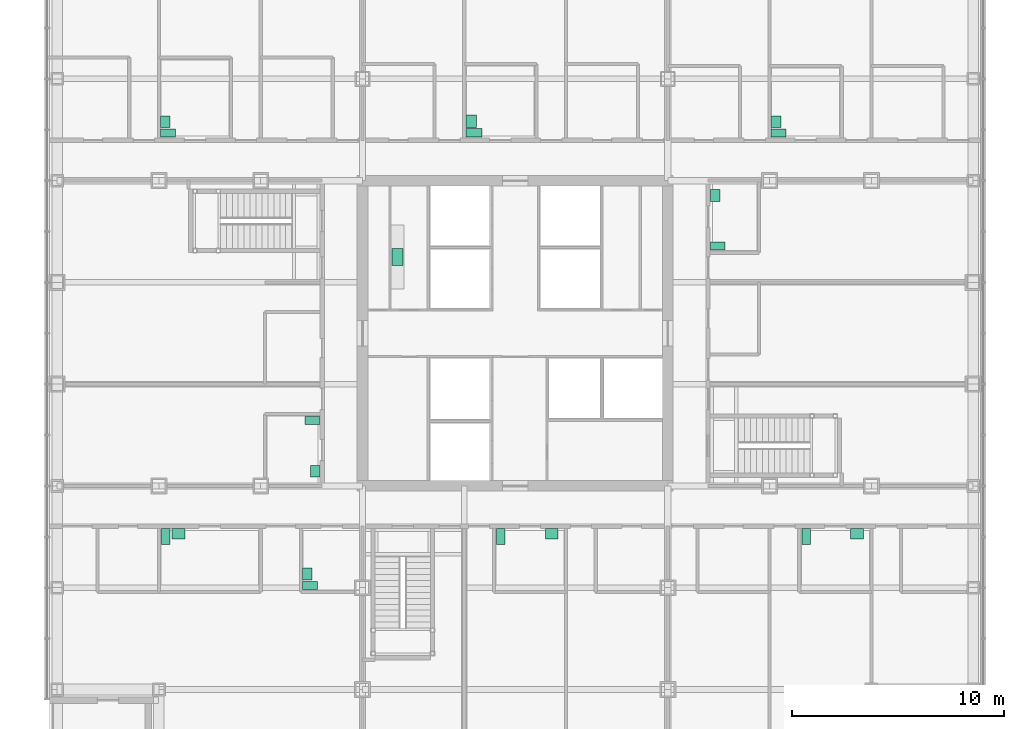
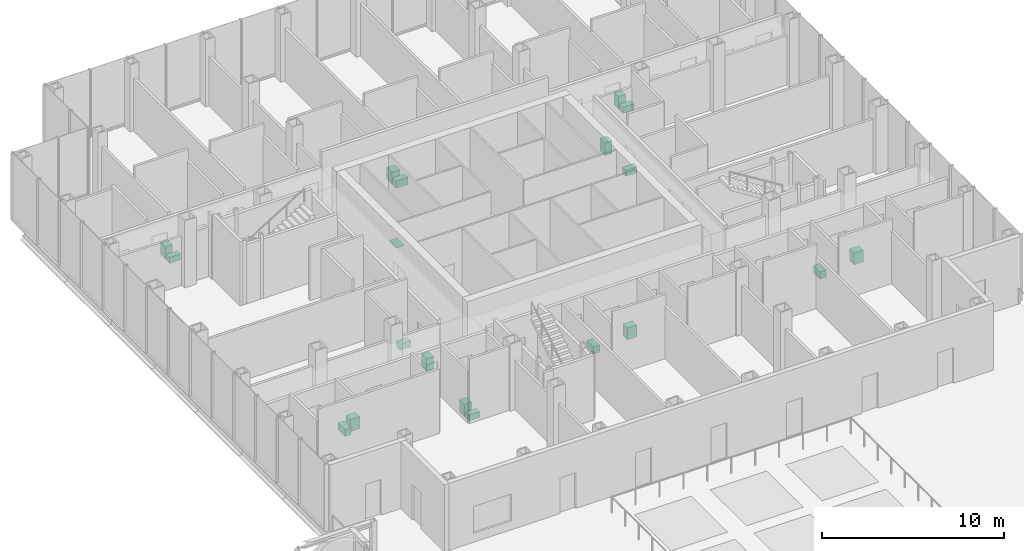
# One storey, part 23 of 24: 19 sanitary terminals.
"""IFC4 building model written with IfcOpenShell, lengths in metres."""

from ifc_helpers import new_model, si_unit, direction, frame, origin, origin_2d, place, context, subcontext, project, spatial, rectangle, extrude, material, type_object, element, save


model = new_model("IFC4")

# Units and contexts
model_context = context("Model", 3, precision=1e-05, world=origin(), true_north=direction((0.0, 1.0)))
body_context = subcontext(model_context, "Body", "Model", "MODEL_VIEW")
ifc_project = project(units=[si_unit("LENGTHUNIT", "METRE"), si_unit("AREAUNIT", "SQUARE_METRE"), si_unit("VOLUMEUNIT", "CUBIC_METRE"), si_unit("PLANEANGLEUNIT", "RADIAN"), si_unit("MASSUNIT", "GRAM", prefix="KILO")], contexts=[model_context])

# Site, building, storey
site_placement = place(None, origin())
site = spatial("IfcSite", under=ifc_project, at=site_placement, CompositionType="ELEMENT")
building_placement = place(site_placement, origin())
building = spatial("IfcBuilding", under=site, at=building_placement, Name="Kvirike Care Tower", CompositionType="ELEMENT")
storey_placement = place(building_placement, frame((0.0, 0.0, 22.5)))
storey = spatial("IfcBuildingStorey", under=building, at=storey_placement, Name="L05", CompositionType="ELEMENT", Elevation=22.5)

# Sanitary terminals
ifc_material_1 = material(Name="Vitreous china", Category="ceramic")
sanitary_terminal_type_1 = type_object("IfcSanitaryTerminalType", Name="ACCESSIBLE WASH BASIN 600 x 500", PredefinedType="WASHHANDBASIN", material=ifc_material_1)
for number, where, z_axis, x_axis, name in (
    (1, (5.72509765625, 26.548095703125, 0.02001953125), (0.0, 0.0, 1.0), (1.0, 0.0, 0.0), "Accessible wash basin L05-004"),
    (2, (23.324951171875, 26.548095703125, 0.02001953125), (0.0, 0.0, 1.0), (1.0, 0.0, 0.0), "Accessible wash basin L05-024"),
    (3, (19.527099609375, 46.0, 0.02001953125), (0.0, 0.0, 1.0), (0.0, 1.0, 0.0), "Accessible wash basin L05-031"),
    (4, (37.72509765625, 26.548095703125, 0.02001953125), (0.0, 0.0, 1.0), (1.0, 0.0, 0.0), "Accessible wash basin L05-038"),
):
    element("IfcSanitaryTerminal", number, at=place(storey_placement, frame(where, z_axis=z_axis, x_axis=x_axis)), inside=storey, type_object=sanitary_terminal_type_1, Name=name, PredefinedType="WASHHANDBASIN", context=body_context, shape_type="SweptSolid", body=[
        extrude(rectangle(XDim=0.60009765625, YDim=0.5, at=origin_2d()), origin(), (0.0, 0.0, 1.0), 0.800048828125),
    ])
ifc_material_2 = material(Name="Vitreous china", Category="ceramic")
sanitary_terminal_type_2 = type_object("IfcSanitaryTerminalType", Name="ACCESSIBLE WC PAN 400 x 750", PredefinedType="TOILETPAN", material=ifc_material_2)
for number, where, z_axis, x_axis, name in (
    (5, (5.125, 26.423095703125, 0.02001953125), (0.0, 0.0, 1.0), (1.0, 0.0, 0.0), "Accessible WC pan L05-004"),
    (6, (20.925048828125, 26.423095703125, 0.02001953125), (0.0, 0.0, 1.0), (1.0, 0.0, 0.0), "Accessible WC pan L05-024"),
    (7, (19.652099609375, 45.449951171875, 0.02001953125), (0.0, 0.0, 1.0), (0.0, 1.0, 0.0), "Accessible WC pan L05-031"),
    (8, (35.324951171875, 26.423095703125, 0.02001953125), (0.0, 0.0, 1.0), (1.0, 0.0, 0.0), "Accessible WC pan L05-038"),
):
    element("IfcSanitaryTerminal", number, at=place(storey_placement, frame(where, z_axis=z_axis, x_axis=x_axis)), inside=storey, type_object=sanitary_terminal_type_2, Name=name, PredefinedType="TOILETPAN", context=body_context, shape_type="SweptSolid", body=[
        extrude(rectangle(XDim=0.39990234375, YDim=0.75, at=origin_2d()), origin(), (0.0, 0.0, 1.0), 0.47998046875),
    ])
ifc_material_3 = material(Name="Stainless steel", Category="steel")
sanitary_terminal_type_3 = type_object("IfcSanitaryTerminalType", Name="KITCHEN SINK 800 x 500", PredefinedType="SINK", material=ifc_material_3)
sanitary_terminal_placement = place(storey_placement, frame((16.052001953125, 39.60009765625, 0.89990234375), z_axis=(0.0, 0.0, 1.0), x_axis=(0.0, 1.0, 0.0)))
element("IfcSanitaryTerminal", 9, at=sanitary_terminal_placement, inside=storey, type_object=sanitary_terminal_type_3, Name="Kitchen sink L05-063", PredefinedType="SINK", context=body_context, shape_type="SweptSolid", body=[
    extrude(rectangle(XDim=0.800048828125, YDim=0.5, at=origin_2d()), origin(), (0.0, 0.0, 1.0), 0.030029296875),
])
ifc_material_4 = material(Name="Vitreous china", Category="ceramic")
sanitary_terminal_type_4 = type_object("IfcSanitaryTerminalType", Name="WASH BASIN 550 x 450", PredefinedType="WASHHANDBASIN", material=ifc_material_4)
for number, where, z_axis, x_axis, name in (
    (10, (11.802001953125, 24.64990234375, 0.02001953125), (0.0, 0.0, 1.0), (0.0, 1.0, 0.0), "Wash basin L05-005"),
    (11, (12.173095703125, 29.5, 0.02001953125), (0.0, 0.0, 1.0), (0.0, -1.0, 0.0), "Wash basin L05-011"),
    (12, (5.10205078125, 45.97509765625, 0.02001953125), (0.0, 0.0, 1.0), (0.0, 1.0, 0.0), "Wash basin L05-017"),
    (13, (31.027099609375, 42.5, 0.02001953125), (0.0, 0.0, 1.0), (0.0, 1.0, 0.0), "Wash basin L05-046"),
    (14, (33.902099609375, 45.97509765625, 0.02001953125), (0.0, 0.0, 1.0), (0.0, 1.0, 0.0), "Wash basin L05-052"),
):
    element("IfcSanitaryTerminal", number, at=place(storey_placement, frame(where, z_axis=z_axis, x_axis=x_axis)), inside=storey, type_object=sanitary_terminal_type_4, Name=name, PredefinedType="WASHHANDBASIN", context=body_context, shape_type="SweptSolid", body=[
        extrude(rectangle(XDim=0.550048828125, YDim=0.449951171875, at=origin_2d()), origin(), (0.0, 0.0, 1.0), 0.85009765625),
    ])
ifc_material_5 = material(Name="Vitreous china", Category="ceramic")
sanitary_terminal_type_5 = type_object("IfcSanitaryTerminalType", Name="WC PAN 380 x 700", PredefinedType="TOILETPAN", material=ifc_material_5)
for number, where, z_axis, x_axis, name in (
    (15, (11.927001953125, 24.114990234375, 0.02001953125), (0.0, 0.0, 1.0), (0.0, 1.0, 0.0), "WC pan L05-005"),
    (16, (12.048095703125, 31.885009765625, 0.02001953125), (0.0, 0.0, 1.0), (0.0, -1.0, 0.0), "WC pan L05-011"),
    (17, (5.22705078125, 45.43994140625, 0.02001953125), (0.0, 0.0, 1.0), (0.0, 1.0, 0.0), "WC pan L05-017"),
    (18, (31.152099609375, 40.114990234375, 0.02001953125), (0.0, 0.0, 1.0), (0.0, 1.0, 0.0), "WC pan L05-046"),
    (19, (34.027099609375, 45.43994140625, 0.02001953125), (0.0, 0.0, 1.0), (0.0, 1.0, 0.0), "WC pan L05-052"),
):
    element("IfcSanitaryTerminal", number, at=place(storey_placement, frame(where, z_axis=z_axis, x_axis=x_axis)), inside=storey, type_object=sanitary_terminal_type_5, Name=name, PredefinedType="TOILETPAN", context=body_context, shape_type="SweptSolid", body=[
        extrude(rectangle(XDim=0.3798828125, YDim=0.699951171875, at=origin_2d()), origin(), (0.0, 0.0, 1.0), 0.39990234375),
    ])

save(model, "model.ifc")
